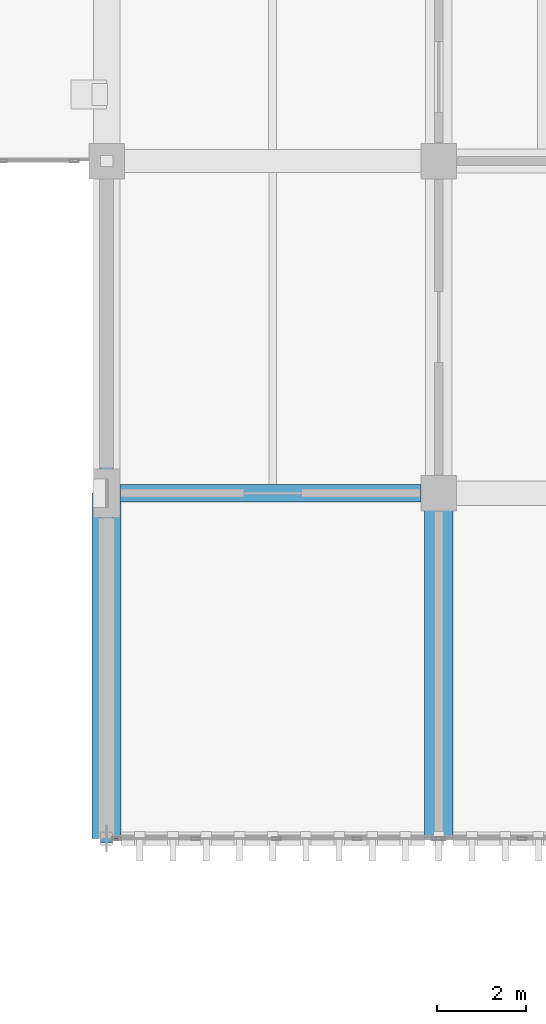
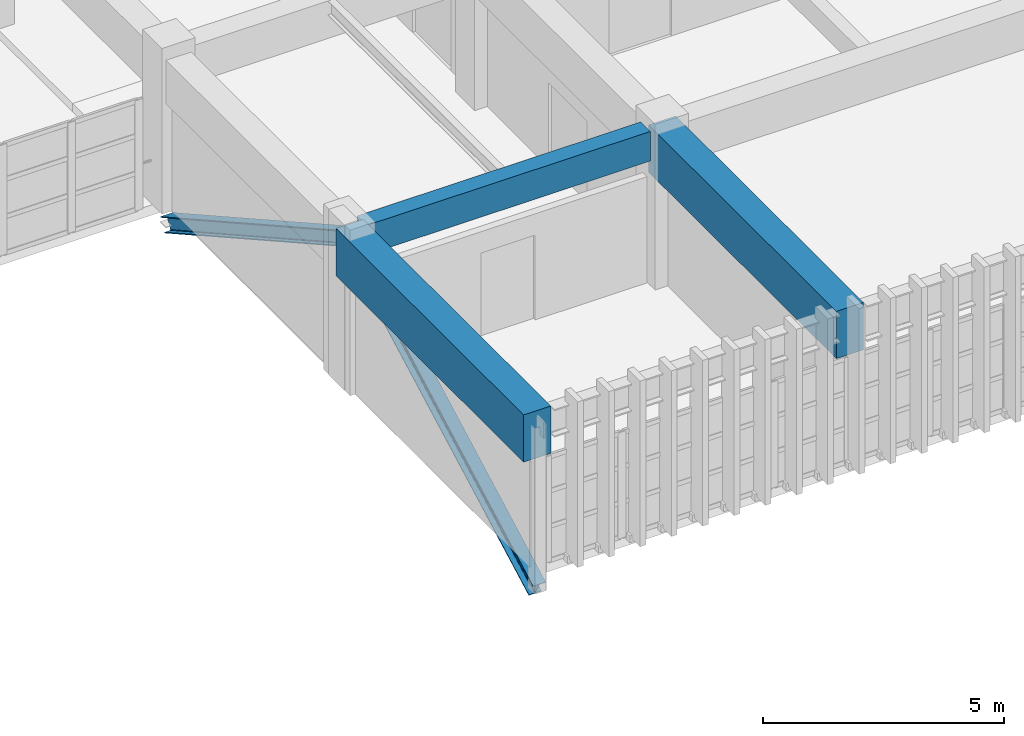
# One storey, part 12 of 124: 3 beams, 2 members.
"""IFC4 building model written with IfcOpenShell, lengths in metres."""

import ifcopenshell
import ifcopenshell.guid

model = None  # the IFC model being written
_history = None  # IfcOwnerHistory: only IFC2X3 demands one
_inside = {}  # id of a spatial element -> (the spatial element, [elements in it])
_under = {}  # id of a project, library or spatial element -> (it, [spatial elements below it])
_declared = {}  # id of a project -> (the project, [libraries it declares])
_typed = {}  # id of a type object -> (the type object, [elements of that type])
_made_of = {}  # id of a material, layer set ... -> (it, [elements and type objects made of it])


def new_model(schema):
    """Start an empty IFC model of exactly this schema.

    Asked for "IFC4X3", IfcOpenShell would pick the latest addendum, in which some entities
    have other attributes; the version numbers below select the first issue.
    IFC2X3 requires an IfcOwnerHistory on every rooted entity: one is made here for all.
    """
    global model, _history
    if schema == "IFC4X3":
        model = ifcopenshell.file(schema_version=(4, 3, 0, 0))
    else:
        model = ifcopenshell.file(schema=schema)
    _inside.clear()
    _under.clear()
    _declared.clear()
    _typed.clear()
    _made_of.clear()
    _history = None
    if model.schema == "IFC2X3":
        org = make("IfcOrganization", Name="unknown")
        user = make(
            "IfcPersonAndOrganization",
            ThePerson=make("IfcPerson", FamilyName="unknown"),
            TheOrganization=org,
        )
        app = make(
            "IfcApplication",
            ApplicationDeveloper=org,
            Version="unknown",
            ApplicationFullName="unknown",
            ApplicationIdentifier="unknown",
        )
        _history = make(
            "IfcOwnerHistory",
            OwningUser=user,
            OwningApplication=app,
            ChangeAction="ADDED",
            CreationDate=0,
        )
    return model


def make(cls, **values):
    """One entity of the class cls with the attributes given. An attribute that is None is left unset."""
    return model.create_entity(
        cls, **{name: value for name, value in values.items() if value is not None}
    )


def rooted(cls, **values):
    """An entity with a GlobalId (a new one), such as an element, a storey or a relation."""
    return make(cls, GlobalId=ifcopenshell.guid.new(), OwnerHistory=_history, **values)


def si_unit(unit_type, name, prefix=None):
    """IfcSIUnit, for example si_unit("LENGTHUNIT", "METRE", prefix="MILLI")."""
    return make("IfcSIUnit", UnitType=unit_type, Prefix=prefix, Name=name)


def assignment(units):
    """IfcUnitAssignment: the units of a project."""
    return None if units is None else make("IfcUnitAssignment", Units=units)


def point(xyz):
    """IfcCartesianPoint."""
    return None if xyz is None else make("IfcCartesianPoint", Coordinates=xyz)


def direction(xyz):
    """IfcDirection."""
    return None if xyz is None else make("IfcDirection", DirectionRatios=xyz)


def frame(location, z_axis=None, x_axis=None):
    """IfcAxis2Placement3D, a coordinate frame: its origin and axes. An axis left out is left unset."""
    return make(
        "IfcAxis2Placement3D",
        Location=point(location),
        Axis=direction(z_axis),
        RefDirection=direction(x_axis),
    )


def frame_2d(location, x_axis=None):
    """IfcAxis2Placement2D, a coordinate frame in the plane: its origin and x axis."""
    return make(
        "IfcAxis2Placement2D", Location=point(location), RefDirection=direction(x_axis)
    )


def origin():
    """The frame at (0, 0, 0) with its axes left unset."""
    return frame((0.0, 0.0, 0.0))


def origin_2d():
    """The frame at (0, 0) in the plane with its x axis left unset."""
    return frame_2d((0.0, 0.0))


def place(relative_to, where):
    """IfcLocalPlacement: puts the frame where relative to a parent placement (None: the world)."""
    return make(
        "IfcLocalPlacement", PlacementRelTo=relative_to, RelativePlacement=where
    )


def context(
    kind, dimensions, precision=None, world=None, true_north=None, identifier=None
):
    """IfcGeometricRepresentationContext, for example the 3D "Model" context."""
    return make(
        "IfcGeometricRepresentationContext",
        ContextIdentifier=identifier,
        ContextType=kind,
        CoordinateSpaceDimension=dimensions,
        Precision=precision,
        WorldCoordinateSystem=world,
        TrueNorth=true_north,
    )


def subcontext(parent, identifier, kind, view, scale=None):
    """IfcGeometricRepresentationSubContext, for example "Body" below "Model"."""
    return make(
        "IfcGeometricRepresentationSubContext",
        ContextIdentifier=identifier,
        ContextType=kind,
        ParentContext=parent,
        TargetScale=scale,
        TargetView=view,
    )


def project(units=None, contexts=None):
    """IfcProject with its units and contexts."""
    return rooted(
        "IfcProject",
        Name="project",
        RepresentationContexts=contexts,
        UnitsInContext=assignment(units),
    )


def spatial(cls, under=None, at=None, **own):
    """A site, building, storey or space (cls), placed at a placement, below another one or the project."""
    s = rooted(cls, ObjectPlacement=at, **own)
    if under is not None:
        _under.setdefault(under.id(), (under, []))[1].append(s)
    return s


def profile(cls, at=None, kind="AREA", **sizes):
    """A parametric profile (cls). Its sizes go by their IFC names, for example OverallWidth=200.0."""
    return make(cls, ProfileType=kind, Position=at, **sizes)


def rectangle(**sizes):
    """IfcRectangleProfileDef."""
    return profile("IfcRectangleProfileDef", **sizes)


def i_section(**sizes):
    """IfcIShapeProfileDef."""
    return profile("IfcIShapeProfileDef", **sizes)


def extrude(swept, where, along, depth):
    """IfcExtrudedAreaSolid: the profile swept, set in the frame where, extruded along a direction by depth."""
    return make(
        "IfcExtrudedAreaSolid",
        SweptArea=swept,
        Position=where,
        ExtrudedDirection=direction(along),
        Depth=depth,
    )


def shape(context_of_items, identifier, shape_type, items):
    """IfcShapeRepresentation: the items that make up one representation, for example the "Body"."""
    return make(
        "IfcShapeRepresentation",
        ContextOfItems=context_of_items,
        RepresentationIdentifier=identifier,
        RepresentationType=shape_type,
        Items=items,
    )


def material(Name=None, Category=None):
    """IfcMaterial."""
    return make("IfcMaterial", Name=Name, Category=Category)


def material_profile(
    of_material, cross_section, Name=None, Category=None, Priority=None
):
    """IfcMaterialProfile: a cross section and its material."""
    return make(
        "IfcMaterialProfile",
        Name=Name,
        Material=of_material,
        Profile=cross_section,
        Priority=Priority,
        Category=Category,
    )


def profile_set(profiles, Name=None, composite=None):
    """IfcMaterialProfileSet."""
    return make(
        "IfcMaterialProfileSet",
        Name=Name,
        MaterialProfiles=profiles,
        CompositeProfile=composite,
    )


def made_of(thing, what):
    """Note that an element or type object is made of a material, layer set ...; save() writes the relation."""
    if what is not None:
        _made_of.setdefault(what.id(), (what, []))[1].append(thing)
    return thing


def type_object(cls, material=None, **own):
    """A type object (cls), such as IfcWallType, which elements share."""
    return made_of(rooted(cls, **own), material)


def element(
    cls,
    number,
    at=None,
    inside=None,
    cuts=None,
    type_object=None,
    material=None,
    context=None,
    identifier="Body",
    shape_type=None,
    held_by="IfcProductDefinitionShape",
    body=None,
    shapes=None,
    **own,
):
    """One element of the class cls, such as IfcWall. Its Tag is "e" and its number.

    at: its placement. inside: the storey or other place that contains it. cuts: it is an
    opening in that element (IfcRelVoidsElement). A single representation is given by context,
    identifier, shape_type and body (its items); several are given by shapes. held_by: the class
    of the entity that holds the representations. save() writes the other relations.
    """
    e = rooted(cls, Tag="e%d" % number, ObjectPlacement=at, **own)
    if body is not None:
        shapes = [shape(context, identifier, shape_type, body)]
    if shapes is not None:
        e.Representation = make(held_by, Representations=shapes)
    if inside is not None:
        _inside.setdefault(inside.id(), (inside, []))[1].append(e)
    if cuts is not None:
        rooted(
            "IfcRelVoidsElement", RelatingBuildingElement=cuts, RelatedOpeningElement=e
        )
    if type_object is not None:
        _typed.setdefault(type_object.id(), (type_object, []))[1].append(e)
    return made_of(e, material)


def aggregate(whole, parts):
    """IfcRelAggregates: a whole, such as a stair, and the parts it consists of."""
    return rooted("IfcRelAggregates", RelatingObject=whole, RelatedObjects=parts)


def save(model, path):
    """Write the relations noted so far, then the file.

    IfcRelAggregates (storeys below a building ...), IfcRelContainedInSpatialStructure (elements
    in a storey), IfcRelDefinesByType, IfcRelAssociatesMaterial and IfcRelDeclares: one each for
    every whole, place, type object, material and project.
    """
    for whole, parts in _under.values():
        aggregate(whole, parts)
    for where, things in _inside.values():
        rooted(
            "IfcRelContainedInSpatialStructure",
            RelatedElements=things,
            RelatingStructure=where,
        )
    for kind, things in _typed.values():
        rooted("IfcRelDefinesByType", RelatedObjects=things, RelatingType=kind)
    for what, things in _made_of.values():
        rooted("IfcRelAssociatesMaterial", RelatedObjects=things, RelatingMaterial=what)
    for by, libraries in _declared.values():
        rooted("IfcRelDeclares", RelatingContext=by, RelatedDefinitions=libraries)
    model.write(path)


model = new_model("IFC4")

# Units and contexts
model_context = context("Model", 3, precision=1e-05, world=origin(), true_north=direction((0.0, 1.0)))
body_context = subcontext(model_context, "Body", "Model", "MODEL_VIEW")
ifc_project = project(units=[si_unit("LENGTHUNIT", "METRE"), si_unit("AREAUNIT", "SQUARE_METRE"), si_unit("VOLUMEUNIT", "CUBIC_METRE"), si_unit("PLANEANGLEUNIT", "RADIAN"), si_unit("MASSUNIT", "GRAM", prefix="KILO")], contexts=[model_context])

# Site, building, storey
site_placement = place(None, origin())
site = spatial("IfcSite", under=ifc_project, at=site_placement, CompositionType="ELEMENT")
building_placement = place(site_placement, origin())
building = spatial("IfcBuilding", under=site, at=building_placement, Name="Qasida Concert Hall", CompositionType="ELEMENT")
storey_placement = place(building_placement, frame((0.0, 0.0, 9.0)))
storey = spatial("IfcBuildingStorey", under=building, at=storey_placement, Name="L02", CompositionType="ELEMENT", Elevation=9.0)

# Beams
ifc_material_1 = material(Name="Concrete C50/60", Category="concrete")
ifc_material_profile_1 = material_profile(ifc_material_1, rectangle(XDim=0.64990234375, YDim=1.199951171875, at=origin_2d()), Name="RC 650x1200")
ifc_profile_set_1 = profile_set([ifc_material_profile_1], Name="Concrete C50/60")
beam_type_1 = type_object("IfcBeamType", Name="BM-CG-1200", PredefinedType="USERDEFINED", material=ifc_profile_set_1)
for number, where, z_axis, x_axis, name in (
    (1, (52.5, 22.5, 3.320068359375), (0.0, -1.0, 0.0), (1.0, 0.0, 0.0), "Cantilever girder CG-008"),
    (2, (60.0, 22.5, 3.320068359375), (0.0, -1.0, 0.0), (1.0, 0.0, 0.0), "Cantilever girder CG-009"),
):
    element("IfcBeam", number, at=place(storey_placement, frame(where, z_axis=z_axis, x_axis=x_axis)), inside=storey, type_object=beam_type_1, Name=name, ObjectType="GIRDER", PredefinedType="USERDEFINED", context=body_context, shape_type="SweptSolid", body=[
        extrude(rectangle(XDim=0.64990234375, YDim=1.199951171875, at=origin_2d()), origin(), (0.0, 0.0, 1.0), 7.800048828125),
    ])
ifc_material_2 = material(Name="Concrete C40/50", Category="concrete")
ifc_material_profile_2 = material_profile(ifc_material_2, rectangle(XDim=0.39990234375, YDim=0.75, at=origin_2d()), Name="RC 400x750")
ifc_profile_set_2 = profile_set([ifc_material_profile_2], Name="Concrete C40/50")
beam_type_2 = type_object("IfcBeamType", Name="BM-SP1", PredefinedType="SPANDREL", material=ifc_profile_set_2)
beam_placement = place(storey_placement, frame((52.800048828125, 22.5, 3.52490234375), z_axis=(1.0, 0.0, 0.0), x_axis=(0.0, 1.0, 0.0)))
element("IfcBeam", 3, at=beam_placement, inside=storey, type_object=beam_type_2, Name="Primary girder 1137", PredefinedType="SPANDREL", context=body_context, shape_type="SweptSolid", body=[
    extrude(rectangle(XDim=0.39990234375, YDim=0.75, at=origin_2d()), origin(), (0.0, 0.0, 1.0), 6.800048828125),
])

# Members
ifc_material_3 = material(Name="Steel S355J2", Category="steel")
ifc_material_profile_3 = material_profile(ifc_material_3, i_section(OverallWidth=0.300048828125, OverallDepth=0.360107421875, WebThickness=0.012451171875, FlangeThickness=0.0224609375, FilletRadius=0.027099609375, at=origin_2d()), Name="HEB 360")
ifc_profile_set_3 = profile_set([ifc_material_profile_3], Name="Steel S355J2")
member_type_1 = type_object("IfcMemberType", Name="MB-BR1", PredefinedType="BRACE", material=ifc_profile_set_3)
member_1_placement = place(storey_placement, frame((52.5, 22.5, 3.60009765625), z_axis=(0.0, 0.872496329493, -0.488620665774), x_axis=(-1.0, 0.0, 0.0)))
element("IfcMember", 4, at=member_1_placement, inside=storey, type_object=member_type_1, Name="Wall truss backspan brace WT-W-006", PredefinedType="BRACE", context=body_context, shape_type="SweptSolid", body=[
    extrude(i_section(OverallWidth=0.300048828125, OverallDepth=0.360107421875, WebThickness=0.012451171875, FlangeThickness=0.0224609375, FilletRadius=0.027099609375, at=origin_2d()), origin(), (0.0, 0.0, 1.0), 8.595947265625),
])
ifc_material_profile_4 = material_profile(ifc_material_3, i_section(OverallWidth=0.300048828125, OverallDepth=0.39990234375, WebThickness=0.013427734375, FlangeThickness=0.02392578125, FilletRadius=0.027099609375, at=origin_2d()), Name="HEB 400")
ifc_profile_set_4 = profile_set([ifc_material_profile_4], Name="Steel S355J2")
member_type_2 = type_object("IfcMemberType", Name="MB-CH1", PredefinedType="CHORD", material=ifc_profile_set_4)
member_2_placement = place(storey_placement, frame((52.5, 22.5, 3.60009765625), z_axis=(0.0, -0.880463135675, -0.474114613482), x_axis=(1.0, 0.0, 0.0)))
element("IfcMember", 5, at=member_2_placement, inside=storey, type_object=member_type_2, Name="Wall truss diagonal WT-W-005", PredefinedType="CHORD", context=body_context, shape_type="SweptSolid", body=[
    extrude(i_section(OverallWidth=0.300048828125, OverallDepth=0.39990234375, WebThickness=0.013427734375, FlangeThickness=0.02392578125, FilletRadius=0.027099609375, at=origin_2d()), origin(), (0.0, 0.0, 1.0), 8.859130859375),
])

save(model, "model.ifc")
